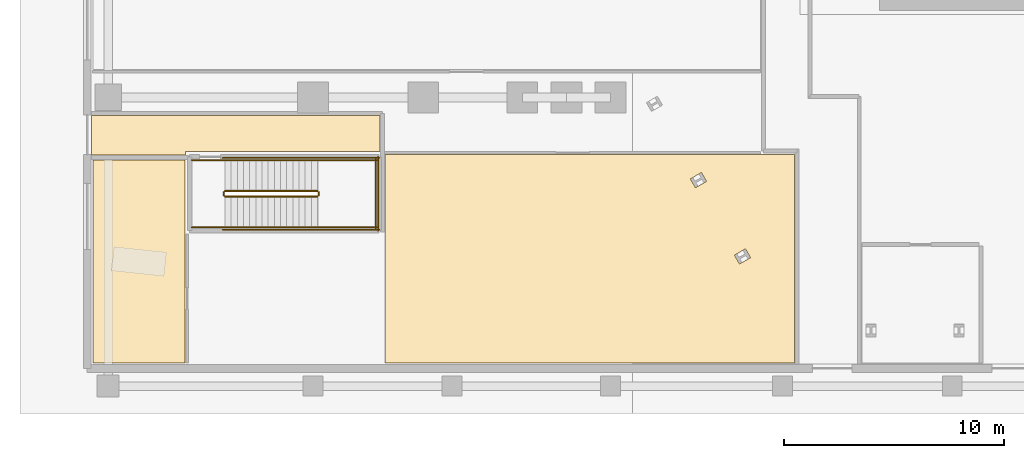
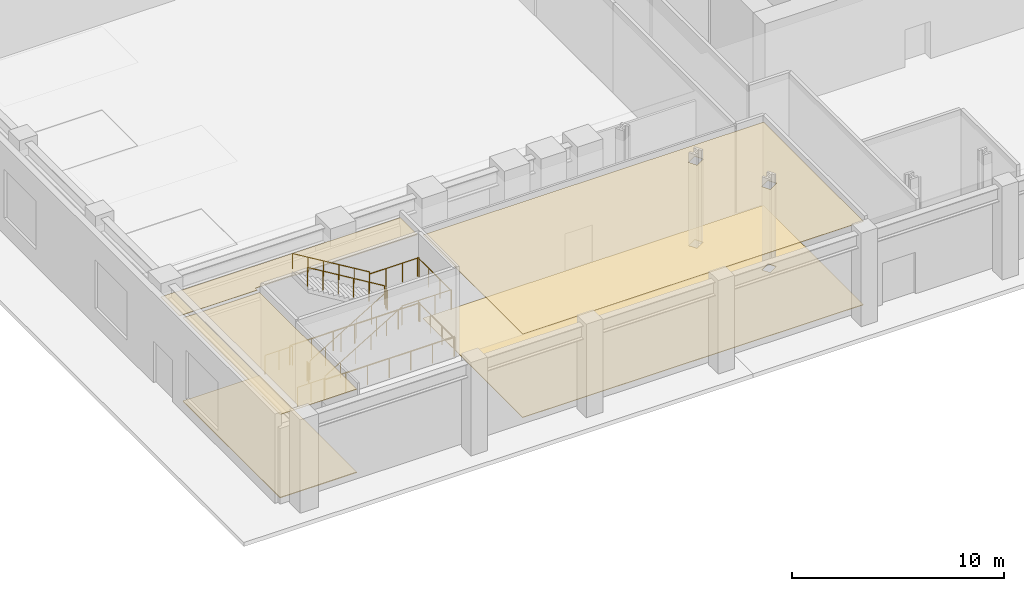
# One storey, part 9 of 18: 14 railings, 5 coverings.
"""IFC4 building model written with IfcOpenShell, lengths in metres."""

import ifcopenshell
import ifcopenshell.guid

model = None  # the IFC model being written
_history = None  # IfcOwnerHistory: only IFC2X3 demands one
_inside = {}  # id of a spatial element -> (the spatial element, [elements in it])
_under = {}  # id of a project, library or spatial element -> (it, [spatial elements below it])
_declared = {}  # id of a project -> (the project, [libraries it declares])
_typed = {}  # id of a type object -> (the type object, [elements of that type])
_made_of = {}  # id of a material, layer set ... -> (it, [elements and type objects made of it])


def new_model(schema):
    """Start an empty IFC model of exactly this schema.

    Asked for "IFC4X3", IfcOpenShell would pick the latest addendum, in which some entities
    have other attributes; the version numbers below select the first issue.
    IFC2X3 requires an IfcOwnerHistory on every rooted entity: one is made here for all.
    """
    global model, _history
    if schema == "IFC4X3":
        model = ifcopenshell.file(schema_version=(4, 3, 0, 0))
    else:
        model = ifcopenshell.file(schema=schema)
    _inside.clear()
    _under.clear()
    _declared.clear()
    _typed.clear()
    _made_of.clear()
    _history = None
    if model.schema == "IFC2X3":
        org = make("IfcOrganization", Name="unknown")
        user = make(
            "IfcPersonAndOrganization",
            ThePerson=make("IfcPerson", FamilyName="unknown"),
            TheOrganization=org,
        )
        app = make(
            "IfcApplication",
            ApplicationDeveloper=org,
            Version="unknown",
            ApplicationFullName="unknown",
            ApplicationIdentifier="unknown",
        )
        _history = make(
            "IfcOwnerHistory",
            OwningUser=user,
            OwningApplication=app,
            ChangeAction="ADDED",
            CreationDate=0,
        )
    return model


def make(cls, **values):
    """One entity of the class cls with the attributes given. An attribute that is None is left unset."""
    return model.create_entity(
        cls, **{name: value for name, value in values.items() if value is not None}
    )


def rooted(cls, **values):
    """An entity with a GlobalId (a new one), such as an element, a storey or a relation."""
    return make(cls, GlobalId=ifcopenshell.guid.new(), OwnerHistory=_history, **values)


def si_unit(unit_type, name, prefix=None):
    """IfcSIUnit, for example si_unit("LENGTHUNIT", "METRE", prefix="MILLI")."""
    return make("IfcSIUnit", UnitType=unit_type, Prefix=prefix, Name=name)


def assignment(units):
    """IfcUnitAssignment: the units of a project."""
    return None if units is None else make("IfcUnitAssignment", Units=units)


def point(xyz):
    """IfcCartesianPoint."""
    return None if xyz is None else make("IfcCartesianPoint", Coordinates=xyz)


def direction(xyz):
    """IfcDirection."""
    return None if xyz is None else make("IfcDirection", DirectionRatios=xyz)


def frame(location, z_axis=None, x_axis=None):
    """IfcAxis2Placement3D, a coordinate frame: its origin and axes. An axis left out is left unset."""
    return make(
        "IfcAxis2Placement3D",
        Location=point(location),
        Axis=direction(z_axis),
        RefDirection=direction(x_axis),
    )


def frame_2d(location, x_axis=None):
    """IfcAxis2Placement2D, a coordinate frame in the plane: its origin and x axis."""
    return make(
        "IfcAxis2Placement2D", Location=point(location), RefDirection=direction(x_axis)
    )


def origin():
    """The frame at (0, 0, 0) with its axes left unset."""
    return frame((0.0, 0.0, 0.0))


def origin_2d():
    """The frame at (0, 0) in the plane with its x axis left unset."""
    return frame_2d((0.0, 0.0))


def place(relative_to, where):
    """IfcLocalPlacement: puts the frame where relative to a parent placement (None: the world)."""
    return make(
        "IfcLocalPlacement", PlacementRelTo=relative_to, RelativePlacement=where
    )


def context(
    kind, dimensions, precision=None, world=None, true_north=None, identifier=None
):
    """IfcGeometricRepresentationContext, for example the 3D "Model" context."""
    return make(
        "IfcGeometricRepresentationContext",
        ContextIdentifier=identifier,
        ContextType=kind,
        CoordinateSpaceDimension=dimensions,
        Precision=precision,
        WorldCoordinateSystem=world,
        TrueNorth=true_north,
    )


def subcontext(parent, identifier, kind, view, scale=None):
    """IfcGeometricRepresentationSubContext, for example "Body" below "Model"."""
    return make(
        "IfcGeometricRepresentationSubContext",
        ContextIdentifier=identifier,
        ContextType=kind,
        ParentContext=parent,
        TargetScale=scale,
        TargetView=view,
    )


def project(units=None, contexts=None):
    """IfcProject with its units and contexts."""
    return rooted(
        "IfcProject",
        Name="project",
        RepresentationContexts=contexts,
        UnitsInContext=assignment(units),
    )


def spatial(cls, under=None, at=None, **own):
    """A site, building, storey or space (cls), placed at a placement, below another one or the project."""
    s = rooted(cls, ObjectPlacement=at, **own)
    if under is not None:
        _under.setdefault(under.id(), (under, []))[1].append(s)
    return s


def polyline(points):
    """IfcPolyline through the points."""
    return make("IfcPolyline", Points=[point(p) for p in points])


def profile(cls, at=None, kind="AREA", **sizes):
    """A parametric profile (cls). Its sizes go by their IFC names, for example OverallWidth=200.0."""
    return make(cls, ProfileType=kind, Position=at, **sizes)


def circle(**sizes):
    """IfcCircleProfileDef."""
    return profile("IfcCircleProfileDef", **sizes)


def outline(outer, holes=None, kind="AREA"):
    """IfcArbitraryClosedProfileDef: a profile drawn as a closed curve; with holes, ...WithVoids."""
    if holes is None:
        return make("IfcArbitraryClosedProfileDef", ProfileType=kind, OuterCurve=outer)
    return make(
        "IfcArbitraryProfileDefWithVoids",
        ProfileType=kind,
        OuterCurve=outer,
        InnerCurves=holes,
    )


def extrude(swept, where, along, depth):
    """IfcExtrudedAreaSolid: the profile swept, set in the frame where, extruded along a direction by depth."""
    return make(
        "IfcExtrudedAreaSolid",
        SweptArea=swept,
        Position=where,
        ExtrudedDirection=direction(along),
        Depth=depth,
    )


def shape(context_of_items, identifier, shape_type, items):
    """IfcShapeRepresentation: the items that make up one representation, for example the "Body"."""
    return make(
        "IfcShapeRepresentation",
        ContextOfItems=context_of_items,
        RepresentationIdentifier=identifier,
        RepresentationType=shape_type,
        Items=items,
    )


def material(Name=None, Category=None):
    """IfcMaterial."""
    return make("IfcMaterial", Name=Name, Category=Category)


def layer(
    of_material, thickness, ventilated=None, Name=None, Category=None, Priority=None
):
    """IfcMaterialLayer: one layer of a wall or slab, of a material (None: an air gap)."""
    return make(
        "IfcMaterialLayer",
        Material=of_material,
        LayerThickness=thickness,
        IsVentilated=ventilated,
        Name=Name,
        Category=Category,
        Priority=Priority,
    )


def layer_set(layers, Name=None):
    """IfcMaterialLayerSet."""
    return make("IfcMaterialLayerSet", MaterialLayers=layers, LayerSetName=Name)


def made_of(thing, what):
    """Note that an element or type object is made of a material, layer set ...; save() writes the relation."""
    if what is not None:
        _made_of.setdefault(what.id(), (what, []))[1].append(thing)
    return thing


def type_object(cls, material=None, **own):
    """A type object (cls), such as IfcWallType, which elements share."""
    return made_of(rooted(cls, **own), material)


def element(
    cls,
    number,
    at=None,
    inside=None,
    cuts=None,
    type_object=None,
    material=None,
    context=None,
    identifier="Body",
    shape_type=None,
    held_by="IfcProductDefinitionShape",
    body=None,
    shapes=None,
    **own,
):
    """One element of the class cls, such as IfcWall. Its Tag is "e" and its number.

    at: its placement. inside: the storey or other place that contains it. cuts: it is an
    opening in that element (IfcRelVoidsElement). A single representation is given by context,
    identifier, shape_type and body (its items); several are given by shapes. held_by: the class
    of the entity that holds the representations. save() writes the other relations.
    """
    e = rooted(cls, Tag="e%d" % number, ObjectPlacement=at, **own)
    if body is not None:
        shapes = [shape(context, identifier, shape_type, body)]
    if shapes is not None:
        e.Representation = make(held_by, Representations=shapes)
    if inside is not None:
        _inside.setdefault(inside.id(), (inside, []))[1].append(e)
    if cuts is not None:
        rooted(
            "IfcRelVoidsElement", RelatingBuildingElement=cuts, RelatedOpeningElement=e
        )
    if type_object is not None:
        _typed.setdefault(type_object.id(), (type_object, []))[1].append(e)
    return made_of(e, material)


def aggregate(whole, parts):
    """IfcRelAggregates: a whole, such as a stair, and the parts it consists of."""
    return rooted("IfcRelAggregates", RelatingObject=whole, RelatedObjects=parts)


def save(model, path):
    """Write the relations noted so far, then the file.

    IfcRelAggregates (storeys below a building ...), IfcRelContainedInSpatialStructure (elements
    in a storey), IfcRelDefinesByType, IfcRelAssociatesMaterial and IfcRelDeclares: one each for
    every whole, place, type object, material and project.
    """
    for whole, parts in _under.values():
        aggregate(whole, parts)
    for where, things in _inside.values():
        rooted(
            "IfcRelContainedInSpatialStructure",
            RelatedElements=things,
            RelatingStructure=where,
        )
    for kind, things in _typed.values():
        rooted("IfcRelDefinesByType", RelatedObjects=things, RelatingType=kind)
    for what, things in _made_of.values():
        rooted("IfcRelAssociatesMaterial", RelatedObjects=things, RelatingMaterial=what)
    for by, libraries in _declared.values():
        rooted("IfcRelDeclares", RelatingContext=by, RelatedDefinitions=libraries)
    model.write(path)


model = new_model("IFC4")

# Units and contexts
model_context = context("Model", 3, precision=1e-05, world=origin(), true_north=direction((0.0, 1.0)))
body_context = subcontext(model_context, "Body", "Model", "MODEL_VIEW")
ifc_project = project(units=[si_unit("LENGTHUNIT", "METRE"), si_unit("AREAUNIT", "SQUARE_METRE"), si_unit("VOLUMEUNIT", "CUBIC_METRE"), si_unit("PLANEANGLEUNIT", "RADIAN"), si_unit("MASSUNIT", "GRAM", prefix="KILO")], contexts=[model_context])

# Site, building, storey
site_placement = place(None, origin())
site = spatial("IfcSite", under=ifc_project, at=site_placement, CompositionType="ELEMENT")
building_placement = place(site_placement, origin())
building = spatial("IfcBuilding", under=site, at=building_placement, Name="Valkerne Bourse Tower", CompositionType="ELEMENT")
storey_placement = place(building_placement, origin())
storey = spatial("IfcBuildingStorey", under=building, at=storey_placement, Name="L00", CompositionType="ELEMENT", Elevation=0.0)

# Coverings
ifc_material_1 = material(Name="Mineral Fiber Acoustic Ceiling Tile", Category="acoustic")
ifc_layer_1 = layer(ifc_material_1, 0.02490234375)
ifc_layer_set_1 = layer_set([ifc_layer_1], Name="Mineral Fiber Acoustic Ceiling Tile")
covering_type_1 = type_object("IfcCoveringType", Name="COV-CEIL-ACT", PredefinedType="CEILING", material=ifc_layer_set_1)
covering_1_placement = place(storey_placement, frame((0.0, 0.0, 4.81005859375)))
element("IfcCovering", 1, at=covering_1_placement, inside=storey, type_object=covering_type_1, Name="L00 Suspended Ceiling 06", PredefinedType="CEILING", context=body_context, shape_type="SweptSolid", body=[
    extrude(outline(polyline([(1.50390625, 10.696044921875), (5.696044921875, 10.696044921875), (5.696044921875, 1.50390625), (1.50390625, 1.50390625), (1.50390625, 10.696044921875)])), origin(), (0.0, 0.0, 1.0), 0.02490234375),
])
ifc_material_2 = material(Name="Bronze Anodised Aluminium AA 6063-T6", Category="aluminium")
ifc_layer_2 = layer(ifc_material_2, 0.030029296875)
ifc_layer_set_2 = layer_set([ifc_layer_2], Name="Bronze Anodised Aluminium AA 6063-T6")
covering_type_2 = type_object("IfcCoveringType", Name="COV-CEIL-METAL", PredefinedType="CEILING", material=ifc_layer_set_2)
covering_2_placement = place(storey_placement, frame((0.0, 0.0, 4.81005859375)))
element("IfcCovering", 2, at=covering_2_placement, inside=storey, type_object=covering_type_2, Name="L00 Suspended Ceiling 02", PredefinedType="CEILING", context=body_context, shape_type="SweptSolid", body=[
    extrude(outline(polyline([(1.4541015625, 12.716064453125), (14.5458984375, 12.716064453125), (14.5458984375, 11.10009765625), (5.699951171875, 11.10009765625), (5.699951171875, 10.924072265625), (1.4541015625, 10.924072265625), (1.4541015625, 12.716064453125)])), origin(), (0.0, 0.0, 1.0), 0.02490234375),
])
covering_3_placement = place(storey_placement, frame((0.0, 0.0, 4.81005859375)))
element("IfcCovering", 3, at=covering_3_placement, inside=storey, type_object=covering_type_2, Name="L00 Suspended Ceiling 07", PredefinedType="CEILING", context=body_context, shape_type="SweptSolid", body=[
    extrude(outline(polyline([(14.75390625, 10.946044921875), (33.345947265625, 10.946044921875), (33.345947265625, 1.50390625), (14.75390625, 1.50390625), (14.75390625, 10.946044921875)]), holes=[polyline([(28.618896484375, 9.84912109375), (28.850341796875, 9.4482421875), (29.35009765625, 9.73681640625), (29.11865234375, 10.137451171875), (28.618896484375, 9.84912109375)]), polyline([(31.11669921875, 6.677001953125), (30.616943359375, 6.388427734375), (30.848388671875, 5.98779296875), (31.347900390625, 6.276123046875), (31.11669921875, 6.677001953125)])]), origin(), (0.0, 0.0, 1.0), 0.02490234375),
])
ifc_material_3 = material(Name="Galvanised Painted Steel", Category="steel")
ifc_layer_3 = layer(ifc_material_3, 0.044921875)
ifc_layer_set_3 = layer_set([ifc_layer_3], Name="Galvanised Painted Steel")
covering_type_3 = type_object("IfcCoveringType", Name="COV-FLR-RAF", PredefinedType="FLOORING", material=ifc_layer_set_3)
covering_4_placement = place(storey_placement, origin())
element("IfcCovering", 4, at=covering_4_placement, inside=storey, type_object=covering_type_3, Name="L00 Floor Finish 06", PredefinedType="FLOORING", context=body_context, shape_type="SweptSolid", body=[
    extrude(outline(polyline([(1.50390625, 10.696044921875), (5.696044921875, 10.696044921875), (5.696044921875, 1.50390625), (1.50390625, 1.50390625), (1.50390625, 10.696044921875)])), origin(), (0.0, 0.0, 1.0), 0.044921875),
])
ifc_material_4 = material(Name="Polished Granite Stone", Category="masonry")
ifc_layer_4 = layer(ifc_material_4, 0.030029296875)
ifc_layer_set_4 = layer_set([ifc_layer_4], Name="Polished Granite Stone")
covering_type_4 = type_object("IfcCoveringType", Name="COV-FLR-TERRAZZO", PredefinedType="FLOORING", material=ifc_layer_set_4)
covering_5_placement = place(storey_placement, origin())
element("IfcCovering", 5, at=covering_5_placement, inside=storey, type_object=covering_type_4, Name="L00 Floor Finish 07", PredefinedType="FLOORING", context=body_context, shape_type="SweptSolid", body=[
    extrude(outline(polyline([(14.75390625, 10.946044921875), (33.345947265625, 10.946044921875), (33.345947265625, 1.50390625), (14.75390625, 1.50390625), (14.75390625, 10.946044921875)]), holes=[polyline([(28.618896484375, 9.84912109375), (28.850341796875, 9.4482421875), (29.35009765625, 9.73681640625), (29.11865234375, 10.137451171875), (28.618896484375, 9.84912109375)]), polyline([(31.11669921875, 6.677001953125), (30.616943359375, 6.388427734375), (30.848388671875, 5.98779296875), (31.347900390625, 6.276123046875), (31.11669921875, 6.677001953125)])]), origin(), (0.0, 0.0, 1.0), 0.030029296875),
])

# Railings
railing_type_1 = type_object("IfcRailingType", Name="RLG-ST-GUARD-1120", PredefinedType="GUARDRAIL", material=ifc_material_3)
railing_1_placement = place(storey_placement, frame((7.5, 9.050048828125, 0.168701171875)))
element("IfcRailing", 6, at=railing_1_placement, inside=storey, type_object=railing_type_1, Name="L00 ST-P1 stair guard 1", PredefinedType="GUARDRAIL", context=body_context, shape_type="SweptSolid", body=[
    extrude(circle(Radius=0.02392578125, at=origin_2d()), frame((0.0, 0.0, 1.09619140625), z_axis=(0.856476492594, 0.0, 0.516186030065), x_axis=(0.0, 1.0, 0.0)), (0.0, 0.0, 1.0), 4.90380859375),
    extrude(circle(Radius=0.02099609375, at=origin_2d()), origin(), (0.0, 0.0, 1.0), 1.072021484375),
    extrude(circle(Radius=0.02099609375, at=origin_2d()), frame((0.840087890625, 0.0, 0.50634765625)), (0.0, 0.0, 1.0), 1.072021484375),
    extrude(circle(Radius=0.02099609375, at=origin_2d()), frame((1.679931640625, 0.0, 1.012451171875)), (0.0, 0.0, 1.0), 1.072021484375),
    extrude(circle(Radius=0.02099609375, at=origin_2d()), frame((2.52001953125, 0.0, 1.518798828125)), (0.0, 0.0, 1.0), 1.072021484375),
    extrude(circle(Radius=0.02099609375, at=origin_2d()), frame((3.35986328125, 0.0, 2.02490234375)), (0.0, 0.0, 1.0), 1.072021484375),
    extrude(circle(Radius=0.02099609375, at=origin_2d()), frame((4.199951171875, 0.0, 2.53125)), (0.0, 0.0, 1.0), 1.072021484375),
])
railing_2_placement = place(storey_placement, frame((11.75, 9.10009765625, 2.699951171875)))
element("IfcRailing", 7, at=railing_2_placement, inside=storey, type_object=railing_type_1, Name="L00 ST-P1 stair guard 2", PredefinedType="GUARDRAIL", context=body_context, shape_type="SweptSolid", body=[
    extrude(circle(Radius=0.02392578125, at=origin_2d()), frame((0.0, 0.0, 1.09619140625), z_axis=(0.0, 1.0, 0.0), x_axis=(-1.0, 0.0, 0.0)), (0.0, 0.0, 1.0), 0.14990234375),
    extrude(circle(Radius=0.02099609375, at=origin_2d()), origin(), (0.0, 0.0, 1.0), 1.072021484375),
    extrude(circle(Radius=0.02099609375, at=origin_2d()), frame((0.0, 0.14990234375, 0.0)), (0.0, 0.0, 1.0), 1.072021484375),
])
for number, where, name in (
    (8, (11.699951171875, 7.64990234375, 2.699951171875), "L00 ST-P1 stair guard 3"),
    (9, (11.699951171875, 10.699951171875, 2.699951171875), "L00 ST-P1 stair guard 4"),
):
    element("IfcRailing", number, at=place(storey_placement, frame(where)), inside=storey, type_object=railing_type_1, Name=name, PredefinedType="GUARDRAIL", context=body_context, shape_type="SweptSolid", body=[
        extrude(circle(Radius=0.02392578125, at=origin_2d()), frame((0.0, 0.0, 1.09619140625), z_axis=(1.0, 0.0, 0.0), x_axis=(0.0, 1.0, 0.0)), (0.0, 0.0, 1.0), 2.699951171875),
        extrude(circle(Radius=0.02099609375, at=origin_2d()), origin(), (0.0, 0.0, 1.0), 1.072021484375),
        extrude(circle(Radius=0.02099609375, at=origin_2d()), frame((0.89990234375, 0.0, 0.0)), (0.0, 0.0, 1.0), 1.072021484375),
        extrude(circle(Radius=0.02099609375, at=origin_2d()), frame((1.800048828125, 0.0, 0.0)), (0.0, 0.0, 1.0), 1.072021484375),
        extrude(circle(Radius=0.02099609375, at=origin_2d()), frame((2.699951171875, 0.0, 0.0)), (0.0, 0.0, 1.0), 1.072021484375),
    ])
railing_3_placement = place(storey_placement, frame((14.35009765625, 7.60009765625, 2.699951171875)))
element("IfcRailing", 10, at=railing_3_placement, inside=storey, type_object=railing_type_1, Name="L00 ST-P1 stair guard 5", PredefinedType="GUARDRAIL", context=body_context, shape_type="SweptSolid", body=[
    extrude(circle(Radius=0.02392578125, at=origin_2d()), frame((0.0, 0.0, 1.09619140625), z_axis=(0.0, 1.0, 0.0), x_axis=(-1.0, 0.0, 0.0)), (0.0, 0.0, 1.0), 3.14990234375),
    extrude(circle(Radius=0.02099609375, at=origin_2d()), origin(), (0.0, 0.0, 1.0), 1.072021484375),
    extrude(circle(Radius=0.02099609375, at=origin_2d()), frame((0.0, 1.050048828125, 0.0)), (0.0, 0.0, 1.0), 1.072021484375),
    extrude(circle(Radius=0.02099609375, at=origin_2d()), frame((0.0, 2.099853515625, 0.0)), (0.0, 0.0, 1.0), 1.072021484375),
    extrude(circle(Radius=0.02099609375, at=origin_2d()), frame((0.0, 3.14990234375, 0.0)), (0.0, 0.0, 1.0), 1.072021484375),
])
railing_4_placement = place(storey_placement, frame((11.699951171875, 9.300048828125, 2.86865234375)))
element("IfcRailing", 11, at=railing_4_placement, inside=storey, type_object=railing_type_1, Name="L00 ST-P1 stair guard 6", PredefinedType="GUARDRAIL", context=body_context, shape_type="SweptSolid", body=[
    extrude(circle(Radius=0.02392578125, at=origin_2d()), frame((0.0, 0.0, 1.09619140625), z_axis=(-0.856476492594, 0.0, 0.516186030065), x_axis=(0.0, -1.0, 0.0)), (0.0, 0.0, 1.0), 4.90380859375),
    extrude(circle(Radius=0.02099609375, at=origin_2d()), origin(), (0.0, 0.0, 1.0), 1.072021484375),
    extrude(circle(Radius=0.02099609375, at=origin_2d()), frame((-0.840087890625, 0.0, 0.50634765625)), (0.0, 0.0, 1.0), 1.072021484375),
    extrude(circle(Radius=0.02099609375, at=origin_2d()), frame((-1.679931640625, 0.0, 1.012451171875)), (0.0, 0.0, 1.0), 1.072021484375),
    extrude(circle(Radius=0.02099609375, at=origin_2d()), frame((-2.52001953125, 0.0, 1.518798828125)), (0.0, 0.0, 1.0), 1.072021484375),
    extrude(circle(Radius=0.02099609375, at=origin_2d()), frame((-3.35986328125, 0.0, 2.02490234375)), (0.0, 0.0, 1.0), 1.072021484375),
    extrude(circle(Radius=0.02099609375, at=origin_2d()), frame((-4.199951171875, 0.0, 2.53125)), (0.0, 0.0, 1.0), 1.072021484375),
])
railing_5_placement = place(storey_placement, frame((7.449951171875, 9.10009765625, 0.0)))
element("IfcRailing", 12, at=railing_5_placement, inside=storey, type_object=railing_type_1, Name="L00 ST-P1 stair guard 7", PredefinedType="GUARDRAIL", context=body_context, shape_type="SweptSolid", body=[
    extrude(circle(Radius=0.02392578125, at=origin_2d()), frame((0.0, 0.0, 1.09619140625), z_axis=(0.0, 1.0, 0.0), x_axis=(-1.0, 0.0, 0.0)), (0.0, 0.0, 1.0), 0.14990234375),
    extrude(circle(Radius=0.02099609375, at=origin_2d()), origin(), (0.0, 0.0, 1.0), 1.072021484375),
    extrude(circle(Radius=0.02099609375, at=origin_2d()), frame((0.0, 0.14990234375, 0.0)), (0.0, 0.0, 1.0), 1.072021484375),
])
for number, where, name in (
    (13, (6.0, 7.64990234375, 0.0), "L00 ST-P1 stair guard 8"),
    (14, (6.0, 10.699951171875, 0.0), "L00 ST-P1 stair guard 9"),
):
    element("IfcRailing", number, at=place(storey_placement, frame(where)), inside=storey, type_object=railing_type_1, Name=name, PredefinedType="GUARDRAIL", context=body_context, shape_type="SweptSolid", body=[
        extrude(circle(Radius=0.02392578125, at=origin_2d()), frame((0.0, 0.0, 1.09619140625), z_axis=(1.0, 0.0, 0.0), x_axis=(0.0, 1.0, 0.0)), (0.0, 0.0, 1.0), 1.5),
        extrude(circle(Radius=0.02099609375, at=origin_2d()), origin(), (0.0, 0.0, 1.0), 1.072021484375),
        extrude(circle(Radius=0.02099609375, at=origin_2d()), frame((0.75, 0.0, 0.0)), (0.0, 0.0, 1.0), 1.072021484375),
        extrude(circle(Radius=0.02099609375, at=origin_2d()), frame((1.5, 0.0, 0.0)), (0.0, 0.0, 1.0), 1.072021484375),
    ])
for number, where, name in (
    (15, (7.39990234375, 7.550048828125, 0.0), "L00 ST-P1 stair guard 10"),
    (16, (7.39990234375, 10.800048828125, 0.0), "L00 ST-P1 stair guard 11"),
):
    element("IfcRailing", number, at=place(storey_placement, frame(where)), inside=storey, type_object=railing_type_1, Name=name, PredefinedType="GUARDRAIL", context=body_context, shape_type="SweptSolid", body=[
        extrude(circle(Radius=0.02392578125, at=origin_2d()), frame((0.0, 0.0, 1.09619140625), z_axis=(1.0, 0.0, 0.0), x_axis=(0.0, 1.0, 0.0)), (0.0, 0.0, 1.0), 7.10009765625),
        extrude(circle(Radius=0.02099609375, at=origin_2d()), origin(), (0.0, 0.0, 1.0), 1.072021484375),
        extrude(circle(Radius=0.02099609375, at=origin_2d()), frame((1.183349609375, 0.0, 0.0)), (0.0, 0.0, 1.0), 1.072021484375),
        extrude(circle(Radius=0.02099609375, at=origin_2d()), frame((2.36669921875, 0.0, 0.0)), (0.0, 0.0, 1.0), 1.072021484375),
        extrude(circle(Radius=0.02099609375, at=origin_2d()), frame((3.550048828125, 0.0, 0.0)), (0.0, 0.0, 1.0), 1.072021484375),
        extrude(circle(Radius=0.02099609375, at=origin_2d()), frame((4.7333984375, 0.0, 0.0)), (0.0, 0.0, 1.0), 1.072021484375),
        extrude(circle(Radius=0.02099609375, at=origin_2d()), frame((5.916748046875, 0.0, 0.0)), (0.0, 0.0, 1.0), 1.072021484375),
        extrude(circle(Radius=0.02099609375, at=origin_2d()), frame((7.10009765625, 0.0, 0.0)), (0.0, 0.0, 1.0), 1.072021484375),
    ])
railing_6_placement = place(storey_placement, frame((14.449951171875, 7.5, 0.0)))
element("IfcRailing", 17, at=railing_6_placement, inside=storey, type_object=railing_type_1, Name="L00 ST-P1 stair guard 12", PredefinedType="GUARDRAIL", context=body_context, shape_type="SweptSolid", body=[
    extrude(circle(Radius=0.02392578125, at=origin_2d()), frame((0.0, 0.0, 1.09619140625), z_axis=(0.0, 1.0, 0.0), x_axis=(-1.0, 0.0, 0.0)), (0.0, 0.0, 1.0), 3.35009765625),
    extrude(circle(Radius=0.02099609375, at=origin_2d()), origin(), (0.0, 0.0, 1.0), 1.072021484375),
    extrude(circle(Radius=0.02099609375, at=origin_2d()), frame((0.0, 1.11669921875, 0.0)), (0.0, 0.0, 1.0), 1.072021484375),
    extrude(circle(Radius=0.02099609375, at=origin_2d()), frame((0.0, 2.2333984375, 0.0)), (0.0, 0.0, 1.0), 1.072021484375),
    extrude(circle(Radius=0.02099609375, at=origin_2d()), frame((0.0, 3.35009765625, 0.0)), (0.0, 0.0, 1.0), 1.072021484375),
])
ifc_material_5 = material(Name="Stainless Steel AISI 316", Category="steel")
railing_type_2 = type_object("IfcRailingType", Name="RLG-ST-HANDRAIL-900", PredefinedType="HANDRAIL", material=ifc_material_5)
railing_7_placement = place(storey_placement, frame((7.5, 7.64990234375, 0.33740234375)))
element("IfcRailing", 18, at=railing_7_placement, inside=storey, type_object=railing_type_2, Name="L00 ST-P1 stair handrail 1", PredefinedType="HANDRAIL", context=body_context, shape_type="SweptSolid", body=[
    extrude(circle(Radius=0.02392578125, at=origin_2d()), frame((0.0, 0.0, 0.8759765625), z_axis=(0.856476492594, 0.0, 0.516186030065), x_axis=(0.0, 1.0, 0.0)), (0.0, 0.0, 1.0), 4.90380859375),
    extrude(circle(Radius=0.02099609375, at=origin_2d()), origin(), (0.0, 0.0, 1.0), 0.851806640625),
    extrude(circle(Radius=0.02099609375, at=origin_2d()), frame((0.840087890625, 0.0, 0.50634765625)), (0.0, 0.0, 1.0), 0.851806640625),
    extrude(circle(Radius=0.02099609375, at=origin_2d()), frame((1.679931640625, 0.0, 1.012451171875)), (0.0, 0.0, 1.0), 0.851806640625),
    extrude(circle(Radius=0.02099609375, at=origin_2d()), frame((2.52001953125, 0.0, 1.518798828125)), (0.0, 0.0, 1.0), 0.851806640625),
    extrude(circle(Radius=0.02099609375, at=origin_2d()), frame((3.35986328125, 0.0, 2.02490234375)), (0.0, 0.0, 1.0), 0.851806640625),
    extrude(circle(Radius=0.02099609375, at=origin_2d()), frame((4.199951171875, 0.0, 2.53125)), (0.0, 0.0, 1.0), 0.851806640625),
])
railing_8_placement = place(storey_placement, frame((11.699951171875, 10.699951171875, 3.03759765625)))
element("IfcRailing", 19, at=railing_8_placement, inside=storey, type_object=railing_type_2, Name="L00 ST-P1 stair handrail 2", PredefinedType="HANDRAIL", context=body_context, shape_type="SweptSolid", body=[
    extrude(circle(Radius=0.02392578125, at=origin_2d()), frame((0.0, 0.0, 0.8759765625), z_axis=(-0.856476492594, 0.0, 0.516186030065), x_axis=(0.0, -1.0, 0.0)), (0.0, 0.0, 1.0), 4.90380859375),
    extrude(circle(Radius=0.02099609375, at=origin_2d()), origin(), (0.0, 0.0, 1.0), 0.851806640625),
    extrude(circle(Radius=0.02099609375, at=origin_2d()), frame((-0.840087890625, 0.0, 0.50634765625)), (0.0, 0.0, 1.0), 0.851806640625),
    extrude(circle(Radius=0.02099609375, at=origin_2d()), frame((-1.679931640625, 0.0, 1.012451171875)), (0.0, 0.0, 1.0), 0.851806640625),
    extrude(circle(Radius=0.02099609375, at=origin_2d()), frame((-2.52001953125, 0.0, 1.518798828125)), (0.0, 0.0, 1.0), 0.851806640625),
    extrude(circle(Radius=0.02099609375, at=origin_2d()), frame((-3.35986328125, 0.0, 2.02490234375)), (0.0, 0.0, 1.0), 0.851806640625),
    extrude(circle(Radius=0.02099609375, at=origin_2d()), frame((-4.199951171875, 0.0, 2.53125)), (0.0, 0.0, 1.0), 0.851806640625),
])

save(model, "model.ifc")
